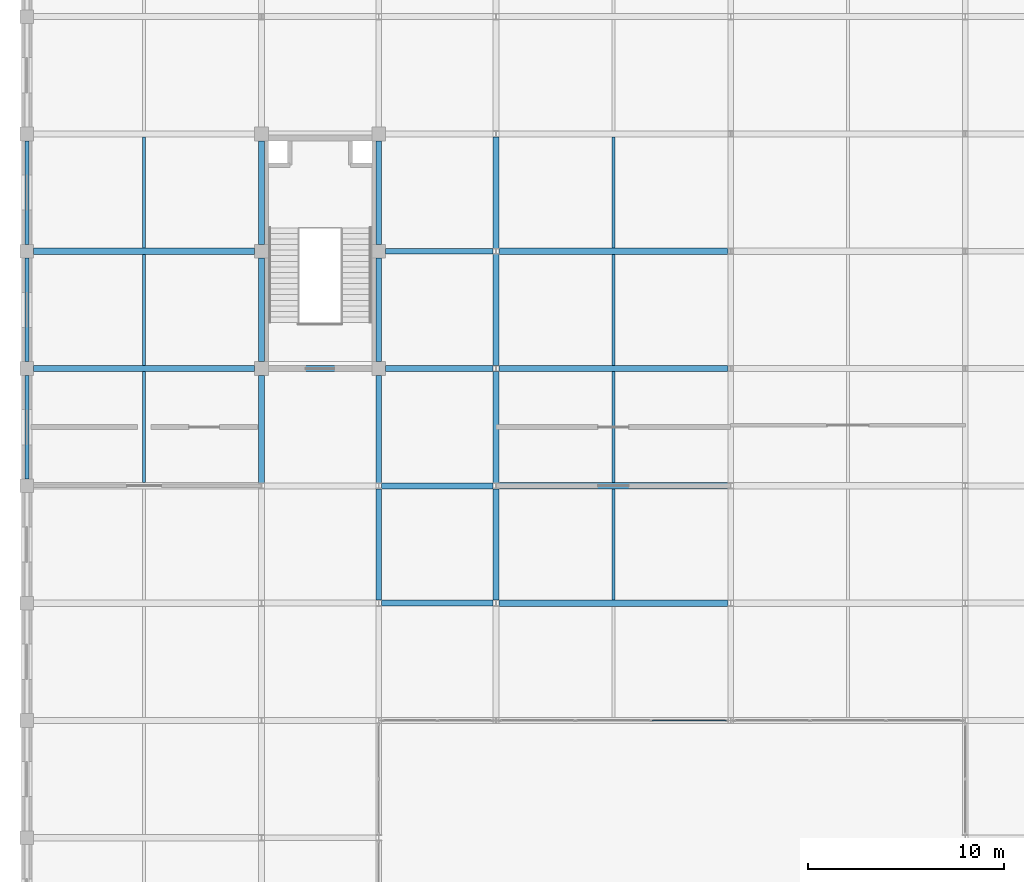
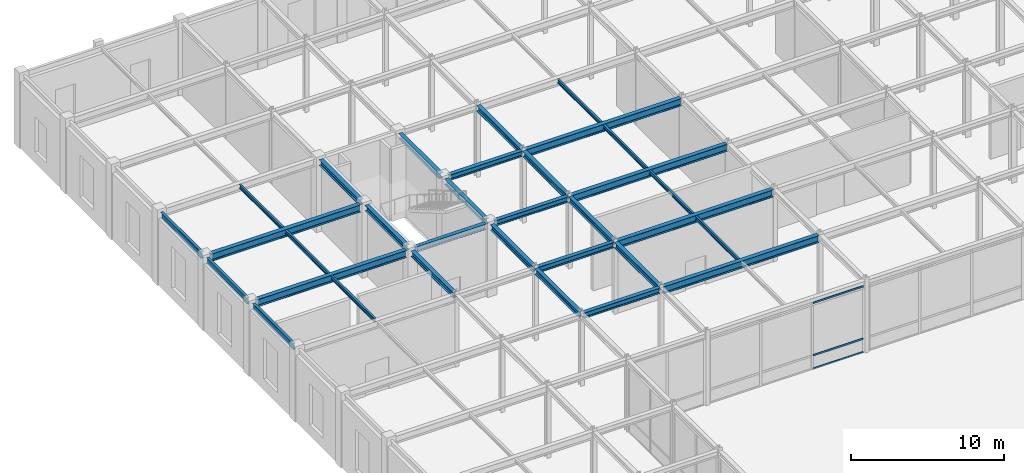
# One storey, part 71 of 108: 32 beams, 3 members, 1 element without a shape of its own.
"""IFC4 building model written with IfcOpenShell, lengths in metres."""

from ifc_helpers import new_model, si_unit, direction, frame, origin, origin_2d, place, context, subcontext, project, spatial, hollow_rectangle, i_section, extrude, material, layer, layer_set, material_profile, profile_set, type_object, element, aggregate, save


model = new_model("IFC4")

# Units and contexts
model_context = context("Model", 3, precision=1e-05, world=origin(), true_north=direction((0.0, 1.0)))
body_context = subcontext(model_context, "Body", "Model", "MODEL_VIEW")
ifc_project = project(units=[si_unit("LENGTHUNIT", "METRE"), si_unit("AREAUNIT", "SQUARE_METRE"), si_unit("VOLUMEUNIT", "CUBIC_METRE"), si_unit("PLANEANGLEUNIT", "RADIAN"), si_unit("MASSUNIT", "GRAM", prefix="KILO")], contexts=[model_context])

# Site, building, storey
site_placement = place(None, origin())
site = spatial("IfcSite", under=ifc_project, at=site_placement, CompositionType="ELEMENT")
building_placement = place(site_placement, origin())
building = spatial("IfcBuilding", under=site, at=building_placement, Name="Zlatovratsky Civic Hall", CompositionType="ELEMENT")
storey_placement = place(building_placement, frame((0.0, 0.0, 6.0)))
storey = spatial("IfcBuildingStorey", under=building, at=storey_placement, Name="L02", CompositionType="ELEMENT", Elevation=6.0)

# Beams
ifc_material_1 = material(Name="Steel S355", Category="steel")
ifc_material_profile_1 = material_profile(ifc_material_1, i_section(OverallWidth=0.320068359375, OverallDepth=0.58203125, WebThickness=0.011962890625, FlangeThickness=0.01708984375, FilletRadius=0.02392578125, at=origin_2d()), Name="60Sh1")
ifc_profile_set_1 = profile_set([ifc_material_profile_1], Name="Steel S355")
beam_type_1 = type_object("IfcBeamType", Name="Beam_PodiumGirder_60Sh1", PredefinedType="BEAM", material=ifc_profile_set_1)
for number, where, z_axis, x_axis, name in (
    (1, (24.14990234375, 72.0, 5.468994140625), (1.0, 0.0, 0.0), (0.0, 1.0, 0.0), "BM-1888"),
    (2, (24.14990234375, 78.0, 5.468994140625), (1.0, 0.0, 0.0), (0.0, 1.0, 0.0), "BM-1910"),
):
    element("IfcBeam", number, at=place(storey_placement, frame(where, z_axis=z_axis, x_axis=x_axis)), inside=storey, type_object=beam_type_1, Name=name, PredefinedType="BEAM", context=body_context, shape_type="SweptSolid", body=[
        extrude(i_section(OverallWidth=0.320068359375, OverallDepth=0.58203125, WebThickness=0.011962890625, FlangeThickness=0.01708984375, FilletRadius=0.02392578125, at=origin_2d()), origin(), (0.0, 0.0, 1.0), 11.7001953125),
    ])
beam_1_placement = place(storey_placement, frame((0.35009765625, 84.0, 5.468994140625), z_axis=(1.0, 0.0, 0.0), x_axis=(0.0, 1.0, 0.0)))
element("IfcBeam", 3, at=beam_1_placement, inside=storey, type_object=beam_type_1, Name="BM-1929", PredefinedType="BEAM", context=body_context, shape_type="SweptSolid", body=[
    extrude(i_section(OverallWidth=0.320068359375, OverallDepth=0.58203125, WebThickness=0.011962890625, FlangeThickness=0.01708984375, FilletRadius=0.02392578125, at=origin_2d()), origin(), (0.0, 0.0, 1.0), 11.2998046875),
])
beam_2_placement = place(storey_placement, frame((24.14990234375, 84.0, 5.468994140625), z_axis=(1.0, 0.0, 0.0), x_axis=(0.0, 1.0, 0.0)))
element("IfcBeam", 4, at=beam_2_placement, inside=storey, type_object=beam_type_1, Name="BM-1932", PredefinedType="BEAM", context=body_context, shape_type="SweptSolid", body=[
    extrude(i_section(OverallWidth=0.320068359375, OverallDepth=0.58203125, WebThickness=0.011962890625, FlangeThickness=0.01708984375, FilletRadius=0.02392578125, at=origin_2d()), origin(), (0.0, 0.0, 1.0), 11.7001953125),
])
beam_3_placement = place(storey_placement, frame((0.35009765625, 90.0, 5.468994140625), z_axis=(1.0, 0.0, 0.0), x_axis=(0.0, 1.0, 0.0)))
element("IfcBeam", 5, at=beam_3_placement, inside=storey, type_object=beam_type_1, Name="BM-1951", PredefinedType="BEAM", context=body_context, shape_type="SweptSolid", body=[
    extrude(i_section(OverallWidth=0.320068359375, OverallDepth=0.58203125, WebThickness=0.011962890625, FlangeThickness=0.01708984375, FilletRadius=0.02392578125, at=origin_2d()), origin(), (0.0, 0.0, 1.0), 11.2998046875),
])
beam_4_placement = place(storey_placement, frame((24.14990234375, 90.0, 5.468994140625), z_axis=(1.0, 0.0, 0.0), x_axis=(0.0, 1.0, 0.0)))
element("IfcBeam", 6, at=beam_4_placement, inside=storey, type_object=beam_type_1, Name="BM-1953", PredefinedType="BEAM", context=body_context, shape_type="SweptSolid", body=[
    extrude(i_section(OverallWidth=0.320068359375, OverallDepth=0.58203125, WebThickness=0.011962890625, FlangeThickness=0.01708984375, FilletRadius=0.02392578125, at=origin_2d()), origin(), (0.0, 0.0, 1.0), 11.7001953125),
])
ifc_material_profile_2 = material_profile(ifc_material_1, i_section(OverallWidth=0.198974609375, OverallDepth=0.491943359375, WebThickness=0.0087890625, FlangeThickness=0.011962890625, FilletRadius=0.01611328125, at=origin_2d()), Name="50B1")
ifc_profile_set_2 = profile_set([ifc_material_profile_2], Name="Steel S355")
beam_type_2 = type_object("IfcBeamType", Name="Beam_Spandrel_50B1", PredefinedType="SPANDREL", material=ifc_profile_set_2)
for number, where, z_axis, x_axis, name in (
    (7, (0.0, 78.35009765625, 5.513916015625), (0.0, 1.0, 0.0), (-1.0, 0.0, 0.0), "BM-2068"),
    (8, (0.0, 84.35009765625, 5.513916015625), (0.0, 1.0, 0.0), (-1.0, 0.0, 0.0), "BM-2069"),
    (9, (0.0, 90.35009765625, 5.513916015625), (0.0, 1.0, 0.0), (-1.0, 0.0, 0.0), "BM-2070"),
):
    element("IfcBeam", number, at=place(storey_placement, frame(where, z_axis=z_axis, x_axis=x_axis)), inside=storey, type_object=beam_type_2, Name=name, PredefinedType="SPANDREL", context=body_context, shape_type="SweptSolid", body=[
        extrude(i_section(OverallWidth=0.198974609375, OverallDepth=0.491943359375, WebThickness=0.0087890625, FlangeThickness=0.011962890625, FilletRadius=0.01611328125, at=origin_2d()), origin(), (0.0, 0.0, 1.0), 5.2998046875),
    ])
ifc_material_profile_3 = material_profile(ifc_material_1, i_section(OverallWidth=0.300048828125, OverallDepth=0.43994140625, WebThickness=0.010986328125, FlangeThickness=0.01806640625, FilletRadius=0.02197265625, at=origin_2d()), Name="45Sh1")
ifc_profile_set_3 = profile_set([ifc_material_profile_3], Name="Steel S355")
beam_type_3 = type_object("IfcBeamType", Name="Beam_TowerLow_45Sh1", PredefinedType="BEAM", material=ifc_profile_set_3)
for number, where, z_axis, x_axis, name in (
    (10, (18.14990234375, 72.0, 5.5400390625), (1.0, 0.0, 0.0), (0.0, 1.0, 0.0), "BM-1887"),
    (11, (18.14990234375, 78.0, 5.5400390625), (1.0, 0.0, 0.0), (0.0, 1.0, 0.0), "BM-1909"),
):
    element("IfcBeam", number, at=place(storey_placement, frame(where, z_axis=z_axis, x_axis=x_axis)), inside=storey, type_object=beam_type_3, Name=name, PredefinedType="BEAM", context=body_context, shape_type="SweptSolid", body=[
        extrude(i_section(OverallWidth=0.300048828125, OverallDepth=0.43994140625, WebThickness=0.010986328125, FlangeThickness=0.01806640625, FilletRadius=0.02197265625, at=origin_2d()), origin(), (0.0, 0.0, 1.0), 5.7001953125),
    ])
beam_5_placement = place(storey_placement, frame((12.35009765625, 84.0, 5.5400390625), z_axis=(1.0, 0.0, 0.0), x_axis=(0.0, 1.0, 0.0)))
element("IfcBeam", 12, at=beam_5_placement, inside=storey, type_object=beam_type_3, Name="BM-1930", PredefinedType="BEAM", context=body_context, shape_type="SweptSolid", body=[
    extrude(i_section(OverallWidth=0.300048828125, OverallDepth=0.43994140625, WebThickness=0.010986328125, FlangeThickness=0.01806640625, FilletRadius=0.02197265625, at=origin_2d()), origin(), (0.0, 0.0, 1.0), 5.2998046875),
])
for number, where, z_axis, x_axis, name in (
    (13, (18.35009765625, 84.0, 5.5400390625), (1.0, 0.0, 0.0), (0.0, 1.0, 0.0), "BM-1931"),
    (14, (18.35009765625, 90.0, 5.5400390625), (1.0, 0.0, 0.0), (0.0, 1.0, 0.0), "BM-1952"),
    (15, (12.0, 78.14990234375, 5.5400390625), (0.0, 1.0, 0.0), (-1.0, 0.0, 0.0), "BM-2085"),
):
    element("IfcBeam", number, at=place(storey_placement, frame(where, z_axis=z_axis, x_axis=x_axis)), inside=storey, type_object=beam_type_3, Name=name, PredefinedType="BEAM", context=body_context, shape_type="SweptSolid", body=[
        extrude(i_section(OverallWidth=0.300048828125, OverallDepth=0.43994140625, WebThickness=0.010986328125, FlangeThickness=0.01806640625, FilletRadius=0.02197265625, at=origin_2d()), origin(), (0.0, 0.0, 1.0), 5.5),
    ])
for number, where, z_axis, x_axis, name in (
    (16, (12.0, 84.35009765625, 5.5400390625), (0.0, 1.0, 0.0), (-1.0, 0.0, 0.0), "BM-2086"),
    (17, (12.0, 90.35009765625, 5.5400390625), (0.0, 1.0, 0.0), (-1.0, 0.0, 0.0), "BM-2087"),
):
    element("IfcBeam", number, at=place(storey_placement, frame(where, z_axis=z_axis, x_axis=x_axis)), inside=storey, type_object=beam_type_3, Name=name, PredefinedType="BEAM", context=body_context, shape_type="SweptSolid", body=[
        extrude(i_section(OverallWidth=0.300048828125, OverallDepth=0.43994140625, WebThickness=0.010986328125, FlangeThickness=0.01806640625, FilletRadius=0.02197265625, at=origin_2d()), origin(), (0.0, 0.0, 1.0), 5.2998046875),
    ])
beam_6_placement = place(storey_placement, frame((18.0, 72.14990234375, 5.5400390625), z_axis=(0.0, 1.0, 0.0), x_axis=(-1.0, 0.0, 0.0)))
element("IfcBeam", 18, at=beam_6_placement, inside=storey, type_object=beam_type_3, Name="BM-2101", PredefinedType="BEAM", context=body_context, shape_type="SweptSolid", body=[
    extrude(i_section(OverallWidth=0.300048828125, OverallDepth=0.43994140625, WebThickness=0.010986328125, FlangeThickness=0.01806640625, FilletRadius=0.02197265625, at=origin_2d()), origin(), (0.0, 0.0, 1.0), 5.7001953125),
])
beam_7_placement = place(storey_placement, frame((18.0, 78.14990234375, 5.5400390625), z_axis=(0.0, 1.0, 0.0), x_axis=(-1.0, 0.0, 0.0)))
element("IfcBeam", 19, at=beam_7_placement, inside=storey, type_object=beam_type_3, Name="BM-2102", PredefinedType="BEAM", context=body_context, shape_type="SweptSolid", body=[
    extrude(i_section(OverallWidth=0.300048828125, OverallDepth=0.43994140625, WebThickness=0.010986328125, FlangeThickness=0.01806640625, FilletRadius=0.02197265625, at=origin_2d()), origin(), (0.0, 0.0, 1.0), 5.5),
])
for number, where, z_axis, x_axis, name in (
    (20, (18.0, 84.35009765625, 5.5400390625), (0.0, 1.0, 0.0), (-1.0, 0.0, 0.0), "BM-2103"),
    (21, (18.0, 90.35009765625, 5.5400390625), (0.0, 1.0, 0.0), (-1.0, 0.0, 0.0), "BM-2104"),
):
    element("IfcBeam", number, at=place(storey_placement, frame(where, z_axis=z_axis, x_axis=x_axis)), inside=storey, type_object=beam_type_3, Name=name, PredefinedType="BEAM", context=body_context, shape_type="SweptSolid", body=[
        extrude(i_section(OverallWidth=0.300048828125, OverallDepth=0.43994140625, WebThickness=0.010986328125, FlangeThickness=0.01806640625, FilletRadius=0.02197265625, at=origin_2d()), origin(), (0.0, 0.0, 1.0), 5.2998046875),
    ])
for number, where, z_axis, x_axis, name in (
    (22, (24.0, 72.14990234375, 5.5400390625), (0.0, 1.0, 0.0), (-1.0, 0.0, 0.0), "BM-2112"),
    (23, (24.0, 78.14990234375, 5.5400390625), (0.0, 1.0, 0.0), (-1.0, 0.0, 0.0), "BM-2113"),
    (24, (24.0, 84.14990234375, 5.5400390625), (0.0, 1.0, 0.0), (-1.0, 0.0, 0.0), "BM-2114"),
    (25, (24.0, 90.14990234375, 5.5400390625), (0.0, 1.0, 0.0), (-1.0, 0.0, 0.0), "BM-2115"),
):
    element("IfcBeam", number, at=place(storey_placement, frame(where, z_axis=z_axis, x_axis=x_axis)), inside=storey, type_object=beam_type_3, Name=name, PredefinedType="BEAM", context=body_context, shape_type="SweptSolid", body=[
        extrude(i_section(OverallWidth=0.300048828125, OverallDepth=0.43994140625, WebThickness=0.010986328125, FlangeThickness=0.01806640625, FilletRadius=0.02197265625, at=origin_2d()), origin(), (0.0, 0.0, 1.0), 5.7001953125),
    ])

# Curtain wall, members
ifc_material_2 = material(Name="Anodised bronze aluminium", Category="aluminium")
ifc_layer = layer(ifc_material_2, 0.159912109375)
ifc_layer_set = layer_set([ifc_layer], Name="Anodised bronze aluminium")
curtain_wall_type = type_object("IfcCurtainWallType", Name="CurtainWall_Bronze_11700x5310_05", PredefinedType="NOTDEFINED", material=ifc_layer_set)
curtain_wall_placement = place(storey_placement, origin())
curtain_wall = element("IfcCurtainWall", 26, at=curtain_wall_placement, inside=storey, type_object=curtain_wall_type, Name="CW-013", PredefinedType="NOTDEFINED")
ifc_material_profile_4 = material_profile(ifc_material_2, hollow_rectangle(XDim=0.06005859375, YDim=0.139892578125, WallThickness=0.00390625, at=origin_2d()), Name="ALU 60x140x4")
ifc_profile_set_4 = profile_set([ifc_material_profile_4], Name="Anodised bronze aluminium")
member_type = type_object("IfcMemberType", Name="CW_Transom_60x140", PredefinedType="USERDEFINED", material=ifc_profile_set_4)
member_1_placement = place(storey_placement, frame((31.97998046875, 66.0, 0.030029296875), z_axis=(1.0, 0.0, 0.0), x_axis=(0.0, 1.0, 0.0)))
member_1 = element("IfcMember", 27, at=member_1_placement, type_object=member_type, Name="CW-05 transom 3.1", ObjectType="TRANSOM", PredefinedType="USERDEFINED", context=body_context, shape_type="SweptSolid", body=[
    extrude(hollow_rectangle(XDim=0.06005859375, YDim=0.139892578125, WallThickness=0.00390625, at=origin_2d()), origin(), (0.0, 0.0, 1.0), 3.81005859375),
])
member_2_placement = place(storey_placement, frame((31.97998046875, 66.0, 1.10009765625), z_axis=(1.0, 0.0, 0.0), x_axis=(0.0, 1.0, 0.0)))
member_2 = element("IfcMember", 28, at=member_2_placement, type_object=member_type, Name="CW-05 transom 3.2", ObjectType="TRANSOM", PredefinedType="USERDEFINED", context=body_context, shape_type="SweptSolid", body=[
    extrude(hollow_rectangle(XDim=0.06005859375, YDim=0.139892578125, WallThickness=0.00390625, at=origin_2d()), origin(), (0.0, 0.0, 1.0), 3.81005859375),
])
member_3_placement = place(storey_placement, frame((31.97998046875, 66.0, 5.280029296875), z_axis=(1.0, 0.0, 0.0), x_axis=(0.0, 1.0, 0.0)))
member_3 = element("IfcMember", 29, at=member_3_placement, type_object=member_type, Name="CW-05 transom 3.3", ObjectType="TRANSOM", PredefinedType="USERDEFINED", context=body_context, shape_type="SweptSolid", body=[
    extrude(hollow_rectangle(XDim=0.06005859375, YDim=0.139892578125, WallThickness=0.00390625, at=origin_2d()), origin(), (0.0, 0.0, 1.0), 3.81005859375),
])
aggregate(curtain_wall, [member_1, member_2, member_3])

# Beams
ifc_material_profile_5 = material_profile(ifc_material_1, i_section(OverallWidth=0.14990234375, OverallDepth=0.300048828125, WebThickness=0.006591796875, FlangeThickness=0.009033203125, FilletRadius=0.012939453125, at=origin_2d()), Name="30B2")
ifc_profile_set_5 = profile_set([ifc_material_profile_5], Name="Steel S355")
beam_type_4 = type_object("IfcBeamType", Name="Joist_Podium_30B2", PredefinedType="JOIST", material=ifc_profile_set_5)
for number, where, z_axis, x_axis, name in (
    (30, (30.0, 72.159912109375, 5.610107421875), (0.0, 1.0, 0.0), (-1.0, 0.0, 0.0), "BM-2426"),
    (31, (6.0, 78.159912109375, 5.610107421875), (0.0, 1.0, 0.0), (-1.0, 0.0, 0.0), "BM-2431"),
    (32, (30.0, 78.159912109375, 5.610107421875), (0.0, 1.0, 0.0), (-1.0, 0.0, 0.0), "BM-2432"),
    (33, (6.0, 84.159912109375, 5.610107421875), (0.0, 1.0, 0.0), (-1.0, 0.0, 0.0), "BM-2437"),
    (34, (30.0, 84.159912109375, 5.610107421875), (0.0, 1.0, 0.0), (-1.0, 0.0, 0.0), "BM-2438"),
    (35, (6.0, 90.159912109375, 5.610107421875), (0.0, 1.0, 0.0), (-1.0, 0.0, 0.0), "BM-2443"),
    (36, (30.0, 90.159912109375, 5.610107421875), (0.0, 1.0, 0.0), (-1.0, 0.0, 0.0), "BM-2444"),
):
    element("IfcBeam", number, at=place(storey_placement, frame(where, z_axis=z_axis, x_axis=x_axis)), inside=storey, type_object=beam_type_4, Name=name, PredefinedType="JOIST", context=body_context, shape_type="SweptSolid", body=[
        extrude(i_section(OverallWidth=0.14990234375, OverallDepth=0.300048828125, WebThickness=0.006591796875, FlangeThickness=0.009033203125, FilletRadius=0.012939453125, at=origin_2d()), origin(), (0.0, 0.0, 1.0), 5.68017578125),
    ])

save(model, "model.ifc")
